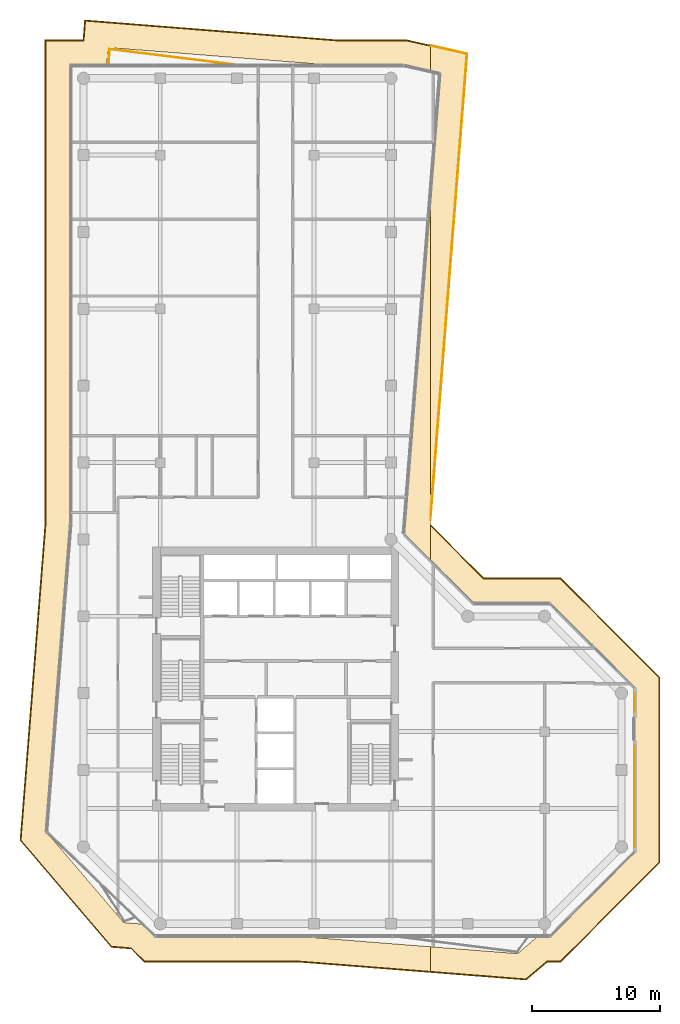
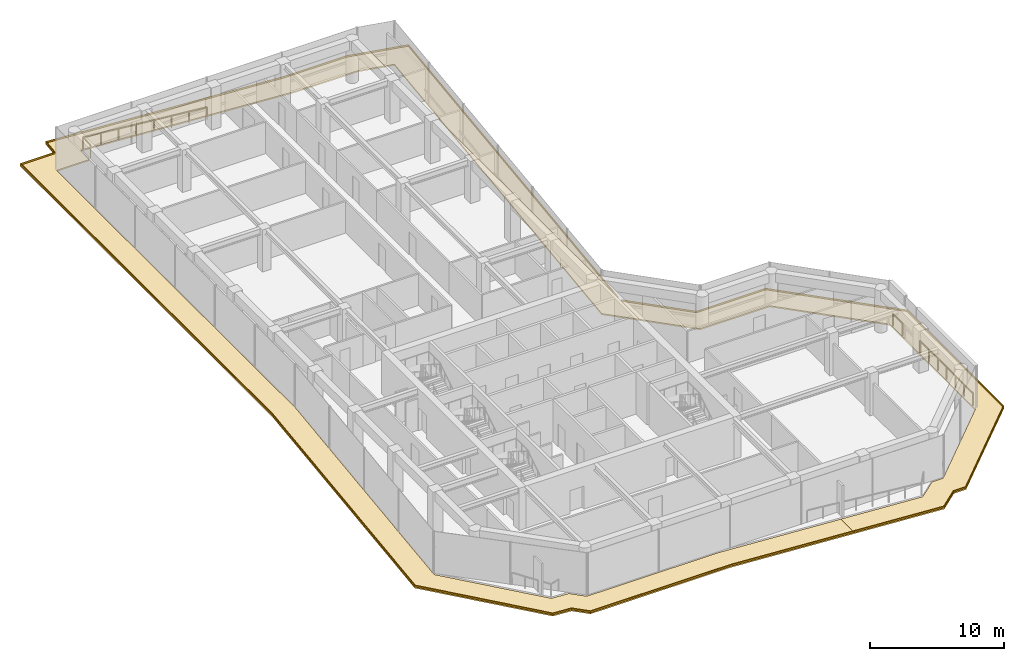
# One storey, part 22 of 22: 7 coverings, 3 railings.
"""IFC4 building model written with IfcOpenShell, lengths in metres."""

from ifc_helpers import new_model, si_unit, direction, frame, origin, origin_2d, place, context, subcontext, project, spatial, polyline, circle, outline, extrude, material, layer, layer_set, type_object, element, save


model = new_model("IFC4")

# Units and contexts
model_context = context("Model", 3, precision=1e-05, world=origin(), true_north=direction((0.0, 1.0)))
body_context = subcontext(model_context, "Body", "Model", "MODEL_VIEW")
ifc_project = project(units=[si_unit("LENGTHUNIT", "METRE"), si_unit("AREAUNIT", "SQUARE_METRE"), si_unit("VOLUMEUNIT", "CUBIC_METRE"), si_unit("PLANEANGLEUNIT", "RADIAN"), si_unit("MASSUNIT", "GRAM", prefix="KILO")], contexts=[model_context])

# Site, building, storey
site_placement = place(None, origin())
site = spatial("IfcSite", under=ifc_project, at=site_placement, CompositionType="ELEMENT")
building_placement = place(site_placement, origin())
building = spatial("IfcBuilding", under=site, at=building_placement, Name="Welwitschia Terrace Campus", CompositionType="ELEMENT")
storey_placement = place(building_placement, frame((0.0, 0.0, 150.800048828125)))
storey = spatial("IfcBuildingStorey", under=building, at=storey_placement, Name="L33", CompositionType="ELEMENT", Elevation=150.800048828125)

# Railings
ifc_material_1 = material(Name="Stainless steel grade 316", Category="steel")
railing_type = type_object("IfcRailingType", Name="Guard 1100", PredefinedType="GUARDRAIL", material=ifc_material_1)
railing_1_placement = place(storey_placement, frame((1.975341796875, 63.030029296875, 0.0)))
element("IfcRailing", 1, at=railing_1_placement, inside=storey, type_object=railing_type, Name="Guard floor edge L33.1", PredefinedType="GUARDRAIL", context=body_context, shape_type="SweptSolid", body=[
    extrude(circle(Radius=0.02392578125, at=origin_2d()), frame((0.0, 0.0, 1.076171875), z_axis=(0.049917935728, 0.998753322744, 0.0), x_axis=(-0.998753322744, 0.049917935728, 0.0)), (0.0, 0.0, 1.0), 1.2373046875),
    extrude(circle(Radius=0.02392578125, at=origin_2d()), frame((0.061767578125, 1.23583984375, 1.076171875), z_axis=(0.992426859565, -0.122836999367, 0.0), x_axis=(0.122836999367, 0.992426859565, 0.0)), (0.0, 0.0, 1.0), 10.060791015625),
    extrude(circle(Radius=0.02099609375, at=origin_2d()), origin(), (0.0, 0.0, 1.0), 1.052001953125),
    extrude(circle(Radius=0.02099609375, at=origin_2d()), frame((0.061767578125, 1.23583984375, 0.0)), (0.0, 0.0, 1.0), 1.052001953125),
    extrude(circle(Radius=0.02099609375, at=origin_2d()), frame((1.488037109375, 1.059326171875, 0.0)), (0.0, 0.0, 1.0), 1.052001953125),
    extrude(circle(Radius=0.02099609375, at=origin_2d()), frame((2.91455078125, 0.8828125, 0.0)), (0.0, 0.0, 1.0), 1.052001953125),
    extrude(circle(Radius=0.02099609375, at=origin_2d()), frame((4.3408203125, 0.706298828125, 0.0)), (0.0, 0.0, 1.0), 1.052001953125),
    extrude(circle(Radius=0.02099609375, at=origin_2d()), frame((5.767333984375, 0.529541015625, 0.0)), (0.0, 0.0, 1.0), 1.052001953125),
    extrude(circle(Radius=0.02099609375, at=origin_2d()), frame((7.193603515625, 0.35302734375, 0.0)), (0.0, 0.0, 1.0), 1.052001953125),
    extrude(circle(Radius=0.02099609375, at=origin_2d()), frame((8.6201171875, 0.176513671875, 0.0)), (0.0, 0.0, 1.0), 1.052001953125),
    extrude(circle(Radius=0.02099609375, at=origin_2d()), frame((10.04638671875, 0.0, 0.0)), (0.0, 0.0, 1.0), 1.052001953125),
])
railing_2_placement = place(storey_placement, frame((43.030029296875, 9.8896484375, 0.0)))
element("IfcRailing", 2, at=railing_2_placement, inside=storey, type_object=railing_type, Name="Guard floor edge L33.3", PredefinedType="GUARDRAIL", context=body_context, shape_type="SweptSolid", body=[
    extrude(circle(Radius=0.02392578125, at=origin_2d()), frame((0.0, 0.0, 1.076171875), z_axis=(0.0, -1.0, 0.0), x_axis=(1.0, 0.0, 0.0)), (0.0, 0.0, 1.0), 7.892578125),
    extrude(circle(Radius=0.02099609375, at=origin_2d()), origin(), (0.0, 0.0, 1.0), 1.052001953125),
    extrude(circle(Radius=0.02099609375, at=origin_2d()), frame((0.0, -1.3154296875, 0.0)), (0.0, 0.0, 1.0), 1.052001953125),
    extrude(circle(Radius=0.02099609375, at=origin_2d()), frame((0.0, -2.630859375, 0.0)), (0.0, 0.0, 1.0), 1.052001953125),
    extrude(circle(Radius=0.02099609375, at=origin_2d()), frame((0.0, -3.9462890625, 0.0)), (0.0, 0.0, 1.0), 1.052001953125),
    extrude(circle(Radius=0.02099609375, at=origin_2d()), frame((0.0, -5.26171875, 0.0)), (0.0, 0.0, 1.0), 1.052001953125),
    extrude(circle(Radius=0.02099609375, at=origin_2d()), frame((0.0, -6.5771484375, 0.0)), (0.0, 0.0, 1.0), 1.052001953125),
    extrude(circle(Radius=0.02099609375, at=origin_2d()), frame((0.0, -7.892578125, 0.0)), (0.0, 0.0, 1.0), 1.052001953125),
])
railing_3_placement = place(storey_placement, frame((43.030029296875, 14.0029296875, 0.0)))
element("IfcRailing", 3, at=railing_3_placement, inside=storey, type_object=railing_type, Name="Guard floor edge L33.4", PredefinedType="GUARDRAIL", context=body_context, shape_type="SweptSolid", body=[
    extrude(circle(Radius=0.02392578125, at=origin_2d()), frame((0.0, 0.0, 1.076171875), z_axis=(0.0, -1.0, 0.0), x_axis=(1.0, 0.0, 0.0)), (0.0, 0.0, 1.0), 1.4658203125),
    extrude(circle(Radius=0.02099609375, at=origin_2d()), origin(), (0.0, 0.0, 1.0), 1.052001953125),
    extrude(circle(Radius=0.02099609375, at=origin_2d()), frame((0.0, -1.4658203125, 0.0)), (0.0, 0.0, 1.0), 1.052001953125),
])

# Coverings
ifc_material_2 = material(Name="Bronze anodised aluminium", Category="aluminium")
ifc_layer_1 = layer(ifc_material_2, 0.1201171875)
ifc_layer_set_1 = layer_set([ifc_layer_1], Name="Bronze anodised aluminium")
covering_type_1 = type_object("IfcCoveringType", Name="Sunshade band 2000", PredefinedType="USERDEFINED", material=ifc_layer_set_1)
covering_1_placement = place(storey_placement, frame((0.0, 0.0, -0.25)))
element("IfcCovering", 4, at=covering_1_placement, inside=storey, type_object=covering_type_1, Name="SUNSHADE L33.SW0", ObjectType="SUNSHADE", PredefinedType="USERDEFINED", context=body_context, shape_type="SweptSolid", body=[
    extrude(outline(polyline([(0.090087890625, 66.545654296875), (19.728759765625, 65.0), (25.223876953125, 65.0), (27.1083984375, 64.572998046875), (27.1083984375, 62.522216796875), (25.0, 63.0), (19.650146484375, 63.0), (1.927001953125, 64.394775390625), (1.817138671875, 63.0), (-1.0, 63.0), (-1.0, 27.2041015625), (-2.8916015625, 3.169921875), (3.1572265625, -3.912109375), (4.612548828125, -4.02685546875), (5.585693359375, -5.0), (16.978515625, -5.0), (27.1083984375, -5.797119140625), (27.1083984375, -7.803466796875), (16.89990234375, -7.0), (4.75732421875, -7.0), (3.72021484375, -5.962646484375), (2.17431640625, -5.841064453125), (-4.950439453125, 2.5009765625), (-3.0, 27.28271484375), (-3.0, 65.0), (-0.031494140625, 65.0), (0.090087890625, 66.545654296875)])), origin(), (0.0, 0.0, 1.0), 0.119873046875),
])
covering_2_placement = place(storey_placement, frame((0.0, 0.0, -0.25)))
element("IfcCovering", 5, at=covering_2_placement, inside=storey, type_object=covering_type_1, Name="SUNSHADE L33.SW1", ObjectType="SUNSHADE", PredefinedType="USERDEFINED", context=body_context, shape_type="SweptSolid", body=[
    extrude(outline(polyline([(27.0830078125, 27.15966796875), (27.1083984375, 27.13427734375), (27.1083984375, 24.3056640625), (25.016845703125, 26.397216796875), (27.1083984375, 52.97314453125), (27.1083984375, 27.482177734375), (27.0830078125, 27.15966796875)])), origin(), (0.0, 0.0, 1.0), 0.119873046875),
])
covering_3_placement = place(storey_placement, frame((0.0, 0.0, -0.25)))
element("IfcCovering", 6, at=covering_3_placement, inside=storey, type_object=covering_type_1, Name="SUNSHADE L33.SE0", ObjectType="SUNSHADE", PredefinedType="USERDEFINED", context=body_context, shape_type="SweptSolid", body=[
    extrude(outline(polyline([(29.976318359375, 63.923095703125), (27.1083984375, 27.482177734375), (27.1083984375, 52.97314453125), (27.8466796875, 62.35498046875), (27.1083984375, 62.522216796875), (27.1083984375, 64.572998046875), (29.976318359375, 63.923095703125)])), origin(), (0.0, 0.0, 1.0), 0.119873046875),
])
covering_4_placement = place(storey_placement, frame((0.0, 0.0, -0.25)))
element("IfcCovering", 7, at=covering_4_placement, inside=storey, type_object=covering_type_1, Name="SUNSHADE L33.SE1", ObjectType="SUNSHADE", PredefinedType="USERDEFINED", context=body_context, shape_type="SweptSolid", body=[
    extrude(outline(polyline([(31.24267578125, 23.0), (37.24267578125, 23.0), (45.0, 15.24267578125), (45.0, 0.75732421875), (37.24267578125, -7.0), (36.18701171875, -7.0), (34.5595703125, -8.389892578125), (27.1083984375, -7.803466796875), (27.1083984375, -5.797119140625), (33.890625, -6.3310546875), (35.44921875, -5.0), (36.414306640625, -5.0), (43.0, 1.585693359375), (43.0, 14.414306640625), (36.414306640625, 21.0), (30.414306640625, 21.0), (27.1083984375, 24.3056640625), (27.1083984375, 27.13427734375), (31.24267578125, 23.0)])), origin(), (0.0, 0.0, 1.0), 0.119873046875),
])
ifc_material_3 = material(Name="Bronze anodised aluminium", Category="aluminium")
ifc_layer_2 = layer(ifc_material_3, 0.06005859375)
ifc_layer_set_2 = layer_set([ifc_layer_2], Name="Bronze anodised aluminium")
covering_type_2 = type_object("IfcCoveringType", Name="Sunshade lip 60", PredefinedType="USERDEFINED", material=ifc_layer_set_2)
covering_5_placement = place(storey_placement, frame((0.0, 0.0, -0.130126953125)))
element("IfcCovering", 8, at=covering_5_placement, inside=storey, type_object=covering_type_2, Name="SUNSHADE LIP L33.SW0.0", ObjectType="SUNSHADE", PredefinedType="USERDEFINED", context=body_context, shape_type="SweptSolid", body=[
    extrude(outline(polyline([(19.728759765625, 65.0), (25.223876953125, 65.0), (27.1083984375, 64.572998046875), (27.1083984375, 64.511474609375), (25.217041015625, 64.93994140625), (19.726318359375, 64.93994140625), (0.145263671875, 66.481201171875), (0.02392578125, 64.93994140625), (-2.93994140625, 64.93994140625), (-2.93994140625, 27.2802734375), (-4.888671875, 2.52099609375), (2.203857421875, -5.783203125), (3.746826171875, -5.904541015625), (4.7822265625, -6.93994140625), (16.902099609375, -6.93994140625), (27.1083984375, -7.7431640625), (27.1083984375, -7.803466796875), (16.89990234375, -7.0), (4.75732421875, -7.0), (3.72021484375, -5.962646484375), (2.17431640625, -5.841064453125), (-4.950439453125, 2.5009765625), (-3.0, 27.28271484375), (-3.0, 65.0), (-0.031494140625, 65.0), (0.090087890625, 66.545654296875), (19.728759765625, 65.0)])), origin(), (0.0, 0.0, 1.0), 0.130126953125),
])
covering_6_placement = place(storey_placement, frame((0.0, 0.0, -0.130126953125)))
element("IfcCovering", 9, at=covering_6_placement, inside=storey, type_object=covering_type_2, Name="SUNSHADE LIP L33.SE0.0", ObjectType="SUNSHADE", PredefinedType="USERDEFINED", context=body_context, shape_type="SweptSolid", body=[
    extrude(outline(polyline([(27.1083984375, 27.482177734375), (27.1083984375, 28.2470703125), (29.91259765625, 63.8759765625), (27.1083984375, 64.511474609375), (27.1083984375, 64.572998046875), (29.976318359375, 63.923095703125), (27.1083984375, 27.482177734375)])), origin(), (0.0, 0.0, 1.0), 0.130126953125),
])
covering_7_placement = place(storey_placement, frame((0.0, 0.0, -0.130126953125)))
element("IfcCovering", 10, at=covering_7_placement, inside=storey, type_object=covering_type_2, Name="SUNSHADE LIP L33.SE1.0", ObjectType="SUNSHADE", PredefinedType="USERDEFINED", context=body_context, shape_type="SweptSolid", body=[
    extrude(outline(polyline([(37.24267578125, 23.0), (45.0, 15.24267578125), (45.0, 0.75732421875), (37.24267578125, -7.0), (36.18701171875, -7.0), (34.5595703125, -8.389892578125), (27.1083984375, -7.803466796875), (27.1083984375, -7.7431640625), (34.53955078125, -8.328125), (36.164794921875, -6.93994140625), (37.2177734375, -6.93994140625), (44.93994140625, 0.7822265625), (44.93994140625, 15.2177734375), (37.2177734375, 22.93994140625), (31.2177734375, 22.93994140625), (27.1083984375, 27.04931640625), (27.1083984375, 27.13427734375), (31.24267578125, 23.0), (37.24267578125, 23.0)])), origin(), (0.0, 0.0, 1.0), 0.130126953125),
])

save(model, "model.ifc")
